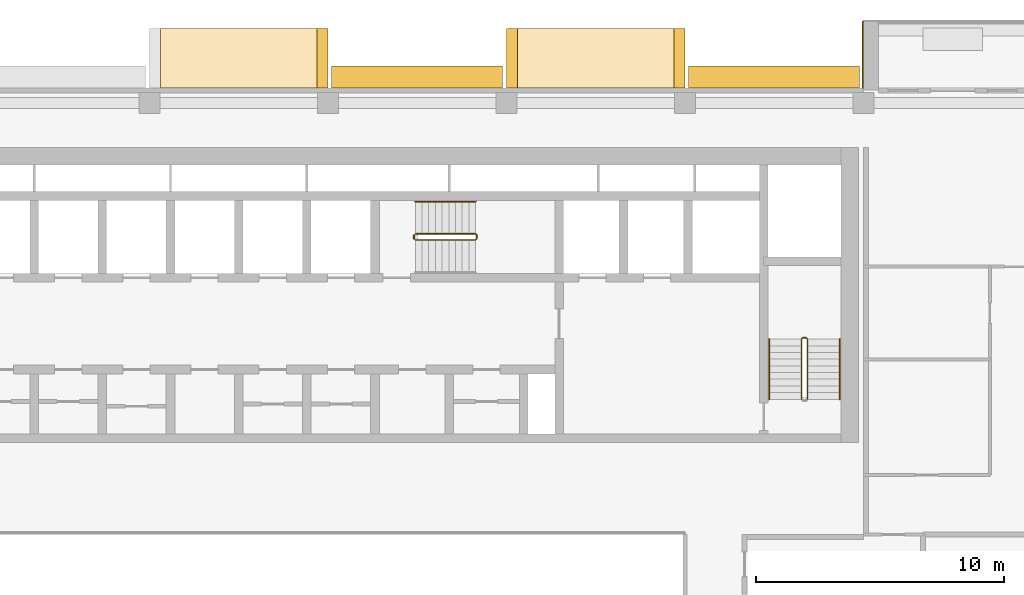
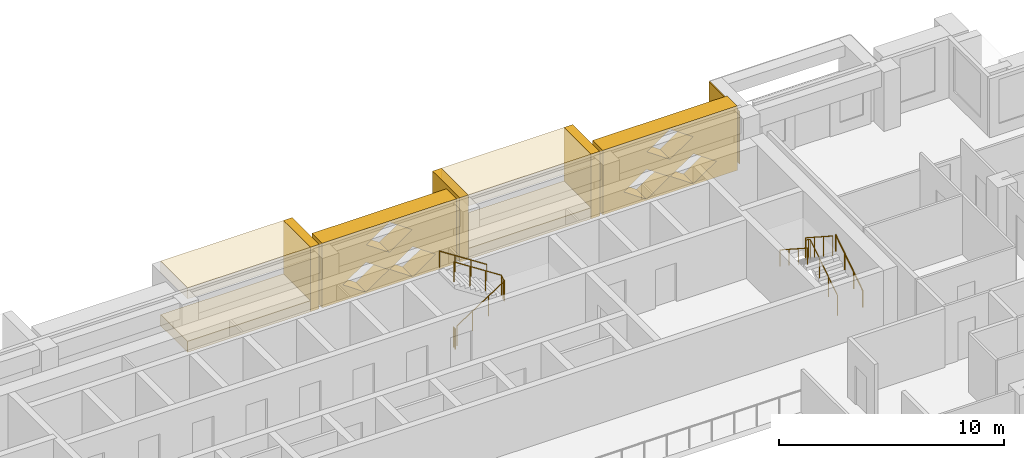
# One storey, part 18 of 19: 10 coverings, 6 railings.
"""IFC4 building model written with IfcOpenShell, lengths in metres."""

from ifc_helpers import new_model, si_unit, direction, frame, origin, origin_2d, place, context, subcontext, project, spatial, polyline, circle, outline, extrude, material, layer, layer_set, type_object, element, save


model = new_model("IFC4")

# Units and contexts
model_context = context("Model", 3, precision=1e-05, world=origin(), true_north=direction((0.0, 1.0)))
body_context = subcontext(model_context, "Body", "Model", "MODEL_VIEW")
ifc_project = project(units=[si_unit("LENGTHUNIT", "METRE"), si_unit("AREAUNIT", "SQUARE_METRE"), si_unit("VOLUMEUNIT", "CUBIC_METRE"), si_unit("PLANEANGLEUNIT", "RADIAN"), si_unit("MASSUNIT", "GRAM", prefix="KILO")], contexts=[model_context])

# Site, building, storey
site_placement = place(None, origin())
site = spatial("IfcSite", under=ifc_project, at=site_placement, CompositionType="ELEMENT")
building_placement = place(site_placement, origin())
building = spatial("IfcBuilding", under=site, at=building_placement, Name="Saffron Iwan Residences", CompositionType="ELEMENT")
storey_placement = place(building_placement, frame((0.0, 0.0, 160.5)))
storey = spatial("IfcBuildingStorey", under=building, at=storey_placement, Name="L42", CompositionType="ELEMENT", Elevation=160.5)

# Coverings
ifc_material_1 = material(Name="Precast concrete C40/50 white painted", Category="concrete")
ifc_layer = layer(ifc_material_1, 0.050048828125)
ifc_layer_set = layer_set([ifc_layer], Name="Precast concrete C40/50 white painted")
covering_type_1 = type_object("IfcCoveringType", Name="FRAME SKIN PRECAST WHITE 50", PredefinedType="CLADDING", material=ifc_layer_set)
covering_1_placement = place(storey_placement, origin())
element("IfcCovering", 1, at=covering_1_placement, inside=storey, type_object=covering_type_1, Name="Frame skin fin L42 F5-0b", PredefinedType="CLADDING", context=body_context, shape_type="SweptSolid", body=[
    extrude(outline(polyline([(72.0, 83.10009765625), (71.949951171875, 83.10009765625), (71.949951171875, 80.39990234375), (72.0, 80.39990234375), (72.0, 83.10009765625)])), origin(), (0.0, 0.0, 1.0), 2.85009765625),
])
ifc_material_2 = material(Name="Precast concrete C40/50", Category="concrete")
covering_type_2 = type_object("IfcCoveringType", Name="OUTER SKIN LATTICE SCREEN", PredefinedType="CLADDING", material=ifc_material_2)
for number, where, z_axis, x_axis, name in (
    (2, (71.85009765625, 80.39990234375, -0.300048828125), (0.0, 1.0, 0.0), (-1.0, 0.0, 0.0), "OUTER SKIN lattice screen L42 F5.1"),
    (3, (57.449951171875, 80.39990234375, -0.300048828125), (0.0, 1.0, 0.0), (-1.0, 0.0, 0.0), "OUTER SKIN lattice screen L42 F5.2"),
):
    element("IfcCovering", number, at=place(storey_placement, frame(where, z_axis=z_axis, x_axis=x_axis)), inside=storey, type_object=covering_type_2, Name=name, PredefinedType="CLADDING", context=body_context, shape_type="SweptSolid", body=[
        extrude(outline(polyline([(0.0, 0.0), (6.89990234375, 0.0), (6.89990234375, 3.5), (0.0, 3.5), (0.0, 0.0)]), holes=[polyline([(1.070068359375, 0.875), (2.25, 0.06005859375), (3.429931640625, 0.875), (2.25, 1.68994140625), (1.070068359375, 0.875)]), polyline([(3.469970703125, 0.875), (4.64990234375, 0.06005859375), (5.830078125, 0.875), (4.64990234375, 1.68994140625), (3.469970703125, 0.875)]), polyline([(2.27001953125, 2.625), (3.449951171875, 1.81005859375), (4.6298828125, 2.625), (3.449951171875, 3.43994140625), (2.27001953125, 2.625)])]), origin(), (0.0, 0.0, 1.0), 0.900146484375),
    ])

# Railings
ifc_material_3 = material(Name="Steel S355", Category="steel")
railing_type_1 = type_object("IfcRailingType", Name="Stair guard 1100", PredefinedType="GUARDRAIL", material=ifc_material_3)
railing_1_placement = place(storey_placement, frame((53.925048828125, 74.27490234375, 0.175048828125)))
element("IfcRailing", 4, at=railing_1_placement, inside=storey, type_object=railing_type_1, Name="L42 ST-C stair guard 1", PredefinedType="GUARDRAIL", context=body_context, shape_type="SweptSolid", body=[
    extrude(circle(Radius=0.02392578125, at=origin_2d()), frame((0.0, 0.0, 1.076171875), z_axis=(0.839153699163, 0.0, 0.543894354798), x_axis=(0.0, 1.0, 0.0)), (0.0, 0.0, 1.0), 2.895751953125),
    extrude(circle(Radius=0.02392578125, at=origin_2d()), frame((2.429931640625, 0.0, 2.65087890625), z_axis=(0.707106781187, 0.707106781187, 0.0), x_axis=(-0.707106781187, 0.707106781187, 0.0)), (0.0, 0.0, 1.0), 0.07080078125),
    extrude(circle(Radius=0.02392578125, at=origin_2d()), frame((2.47998046875, 0.050048828125, 2.65087890625), z_axis=(0.0, 1.0, 0.0), x_axis=(-1.0, 0.0, 0.0)), (0.0, 0.0, 1.0), 0.150146484375),
    extrude(circle(Radius=0.02392578125, at=origin_2d()), frame((2.47998046875, 0.2001953125, 2.65087890625), z_axis=(-0.265155923931, 0.263862480399, 0.927399011991), x_axis=(-0.705375805398, -0.708833529934, 0.0)), (0.0, 0.0, 1.0), 0.188720703125),
    extrude(circle(Radius=0.02392578125, at=origin_2d()), frame((2.429931640625, 0.25, 2.826171875), z_axis=(-0.839153699163, 0.0, 0.543894354798), x_axis=(0.0, -1.0, 0.0)), (0.0, 0.0, 1.0), 2.895751953125),
    extrude(circle(Radius=0.02099609375, at=origin_2d()), origin(), (0.0, 0.0, 1.0), 1.052001953125),
    extrude(circle(Radius=0.02099609375, at=origin_2d()), frame((0.81005859375, 0.0, 0.52490234375)), (0.0, 0.0, 1.0), 1.052001953125),
    extrude(circle(Radius=0.02099609375, at=origin_2d()), frame((1.619873046875, 0.0, 1.050048828125)), (0.0, 0.0, 1.0), 1.052001953125),
    extrude(circle(Radius=0.02099609375, at=origin_2d()), frame((2.429931640625, 0.0, 1.574951171875)), (0.0, 0.0, 1.0), 1.052001953125),
    extrude(circle(Radius=0.02099609375, at=origin_2d()), frame((2.47998046875, 0.050048828125, 1.574951171875)), (0.0, 0.0, 1.0), 1.052001953125),
    extrude(circle(Radius=0.02099609375, at=origin_2d()), frame((2.47998046875, 0.2001953125, 1.574951171875)), (0.0, 0.0, 1.0), 1.052001953125),
    extrude(circle(Radius=0.02099609375, at=origin_2d()), frame((2.429931640625, 0.25, 1.75)), (0.0, 0.0, 1.0), 1.052001953125),
    extrude(circle(Radius=0.02099609375, at=origin_2d()), frame((1.619873046875, 0.25, 2.27490234375)), (0.0, 0.0, 1.0), 1.052001953125),
    extrude(circle(Radius=0.02099609375, at=origin_2d()), frame((0.81005859375, 0.25, 2.800048828125)), (0.0, 0.0, 1.0), 1.052001953125),
    extrude(circle(Radius=0.02099609375, at=origin_2d()), frame((0.0, 0.25, 3.324951171875)), (0.0, 0.0, 1.0), 1.052001953125),
])
railing_2_placement = place(storey_placement, frame((53.875, 74.324951171875, 0.0)))
element("IfcRailing", 5, at=railing_2_placement, inside=storey, type_object=railing_type_1, Name="L42 ST-C stair guard 2", PredefinedType="GUARDRAIL", context=body_context, shape_type="SweptSolid", body=[
    extrude(circle(Radius=0.02392578125, at=origin_2d()), frame((0.0, 0.0, 1.076171875), z_axis=(0.0, 1.0, 0.0), x_axis=(-1.0, 0.0, 0.0)), (0.0, 0.0, 1.0), 0.150146484375),
    extrude(circle(Radius=0.02099609375, at=origin_2d()), origin(), (0.0, 0.0, 1.0), 1.052001953125),
    extrude(circle(Radius=0.02099609375, at=origin_2d()), frame((0.0, 0.150146484375, 0.0)), (0.0, 0.0, 1.0), 1.052001953125),
])
railing_3_placement = place(storey_placement, frame((69.75, 67.85009765625, 0.175048828125)))
element("IfcRailing", 6, at=railing_3_placement, inside=storey, type_object=railing_type_1, Name="L42 ST-E stair guard 1", PredefinedType="GUARDRAIL", context=body_context, shape_type="SweptSolid", body=[
    extrude(circle(Radius=0.02392578125, at=origin_2d()), frame((0.0, 0.0, 1.076171875), z_axis=(0.0, 0.839153699163, 0.543894354798), x_axis=(-1.0, 0.0, 0.0)), (0.0, 0.0, 1.0), 2.895751953125),
    extrude(circle(Radius=0.02392578125, at=origin_2d()), frame((0.0, 2.429931640625, 2.65087890625), z_axis=(-0.707106781187, 0.707106781187, 0.0), x_axis=(-0.707106781187, -0.707106781187, 0.0)), (0.0, 0.0, 1.0), 0.07080078125),
    extrude(circle(Radius=0.02392578125, at=origin_2d()), frame((-0.050048828125, 2.47998046875, 2.65087890625), z_axis=(-1.0, 0.0, 0.0), x_axis=(0.0, -1.0, 0.0)), (0.0, 0.0, 1.0), 0.14990234375),
    extrude(circle(Radius=0.02392578125, at=origin_2d()), frame((-0.199951171875, 2.47998046875, 2.65087890625), z_axis=(-0.265065253269, -0.265065253269, 0.927081885822), x_axis=(0.707106781187, -0.707106781187, 0.0)), (0.0, 0.0, 1.0), 0.188720703125),
    extrude(circle(Radius=0.02392578125, at=origin_2d()), frame((-0.25, 2.429931640625, 2.826171875), z_axis=(0.0, -0.839153699163, 0.543894354798), x_axis=(1.0, 0.0, 0.0)), (0.0, 0.0, 1.0), 2.895751953125),
    extrude(circle(Radius=0.02099609375, at=origin_2d()), origin(), (0.0, 0.0, 1.0), 1.052001953125),
    extrude(circle(Radius=0.02099609375, at=origin_2d()), frame((0.0, 0.81005859375, 0.52490234375)), (0.0, 0.0, 1.0), 1.052001953125),
    extrude(circle(Radius=0.02099609375, at=origin_2d()), frame((0.0, 1.619873046875, 1.050048828125)), (0.0, 0.0, 1.0), 1.052001953125),
    extrude(circle(Radius=0.02099609375, at=origin_2d()), frame((0.0, 2.429931640625, 1.574951171875)), (0.0, 0.0, 1.0), 1.052001953125),
    extrude(circle(Radius=0.02099609375, at=origin_2d()), frame((-0.050048828125, 2.47998046875, 1.574951171875)), (0.0, 0.0, 1.0), 1.052001953125),
    extrude(circle(Radius=0.02099609375, at=origin_2d()), frame((-0.199951171875, 2.47998046875, 1.574951171875)), (0.0, 0.0, 1.0), 1.052001953125),
    extrude(circle(Radius=0.02099609375, at=origin_2d()), frame((-0.25, 2.429931640625, 1.75)), (0.0, 0.0, 1.0), 1.052001953125),
    extrude(circle(Radius=0.02099609375, at=origin_2d()), frame((-0.25, 1.619873046875, 2.27490234375)), (0.0, 0.0, 1.0), 1.052001953125),
    extrude(circle(Radius=0.02099609375, at=origin_2d()), frame((-0.25, 0.81005859375, 2.800048828125)), (0.0, 0.0, 1.0), 1.052001953125),
    extrude(circle(Radius=0.02099609375, at=origin_2d()), frame((-0.25, 0.0, 3.324951171875)), (0.0, 0.0, 1.0), 1.052001953125),
])
ifc_material_4 = material(Name="Stainless steel 316", Category="steel")
railing_type_2 = type_object("IfcRailingType", Name="Stair handrail 900", PredefinedType="HANDRAIL", material=ifc_material_4)
railing_4_placement = place(storey_placement, frame((56.35498046875, 75.824951171875, 1.925048828125)))
element("IfcRailing", 7, at=railing_4_placement, inside=storey, type_object=railing_type_2, Name="L42 ST-C stair handrail 2", PredefinedType="HANDRAIL", context=body_context, shape_type="SweptSolid", body=[
    extrude(circle(Radius=0.02392578125, at=origin_2d()), frame((0.0, 0.0, 0.8759765625), z_axis=(-0.839153699163, 0.0, 0.543894354798), x_axis=(0.0, -1.0, 0.0)), (0.0, 0.0, 1.0), 2.895751953125),
    extrude(circle(Radius=0.02099609375, at=origin_2d()), origin(), (0.0, 0.0, 1.0), 0.851806640625),
    extrude(circle(Radius=0.02099609375, at=origin_2d()), frame((-0.81005859375, 0.0, 0.52490234375)), (0.0, 0.0, 1.0), 0.851806640625),
    extrude(circle(Radius=0.02099609375, at=origin_2d()), frame((-1.619873046875, 0.0, 1.050048828125)), (0.0, 0.0, 1.0), 0.851806640625),
    extrude(circle(Radius=0.02099609375, at=origin_2d()), frame((-2.429931640625, 0.0, 1.574951171875)), (0.0, 0.0, 1.0), 0.851806640625),
])
railing_5_placement = place(storey_placement, frame((71.050048828125, 67.85009765625, 0.175048828125)))
element("IfcRailing", 8, at=railing_5_placement, inside=storey, type_object=railing_type_2, Name="L42 ST-E stair handrail 1", PredefinedType="HANDRAIL", context=body_context, shape_type="SweptSolid", body=[
    extrude(circle(Radius=0.02392578125, at=origin_2d()), frame((0.0, 0.0, 0.8759765625), z_axis=(0.0, 0.839153699163, 0.543894354798), x_axis=(-1.0, 0.0, 0.0)), (0.0, 0.0, 1.0), 2.895751953125),
    extrude(circle(Radius=0.02099609375, at=origin_2d()), origin(), (0.0, 0.0, 1.0), 0.851806640625),
    extrude(circle(Radius=0.02099609375, at=origin_2d()), frame((0.0, 0.81005859375, 0.52490234375)), (0.0, 0.0, 1.0), 0.851806640625),
    extrude(circle(Radius=0.02099609375, at=origin_2d()), frame((0.0, 1.619873046875, 1.050048828125)), (0.0, 0.0, 1.0), 0.851806640625),
    extrude(circle(Radius=0.02099609375, at=origin_2d()), frame((0.0, 2.429931640625, 1.574951171875)), (0.0, 0.0, 1.0), 0.851806640625),
])
railing_6_placement = place(storey_placement, frame((68.199951171875, 70.280029296875, 1.925048828125)))
element("IfcRailing", 9, at=railing_6_placement, inside=storey, type_object=railing_type_2, Name="L42 ST-E stair handrail 2", PredefinedType="HANDRAIL", context=body_context, shape_type="SweptSolid", body=[
    extrude(circle(Radius=0.02392578125, at=origin_2d()), frame((0.0, 0.0, 0.8759765625), z_axis=(0.0, -0.839153699163, 0.543894354798), x_axis=(1.0, 0.0, 0.0)), (0.0, 0.0, 1.0), 2.895751953125),
    extrude(circle(Radius=0.02099609375, at=origin_2d()), origin(), (0.0, 0.0, 1.0), 0.851806640625),
    extrude(circle(Radius=0.02099609375, at=origin_2d()), frame((0.0, -0.81005859375, 0.52490234375)), (0.0, 0.0, 1.0), 0.851806640625),
    extrude(circle(Radius=0.02099609375, at=origin_2d()), frame((0.0, -1.619873046875, 1.050048828125)), (0.0, 0.0, 1.0), 0.851806640625),
    extrude(circle(Radius=0.02099609375, at=origin_2d()), frame((0.0, -2.429931640625, 1.574951171875)), (0.0, 0.0, 1.0), 0.851806640625),
])

# Coverings
covering_type_3 = type_object("IfcCoveringType", Name="WHITE SUN FRAME PRECAST", PredefinedType="CLADDING", material=ifc_material_1)
for number, where, z_axis, x_axis, name in (
    (10, (64.800048828125, 80.39990234375, -0.300048828125), (0.0, 1.0, 0.0), (-1.0, 0.0, 0.0), "Sun frame L42 F5 18.0a"),
    (11, (58.050048828125, 80.39990234375, -0.300048828125), (0.0, 1.0, 0.0), (-1.0, 0.0, 0.0), "Sun frame L42 F5 18.0b"),
):
    element("IfcCovering", number, at=place(storey_placement, frame(where, z_axis=z_axis, x_axis=x_axis)), inside=storey, type_object=covering_type_3, Name=name, PredefinedType="CLADDING", context=body_context, shape_type="SweptSolid", body=[
        extrude(outline(polyline([(0.0, 0.0), (0.449951171875, 0.0), (0.449951171875, 3.5), (0.0, 3.5), (0.0, 0.0)])), origin(), (0.0, 0.0, 1.0), 2.400146484375),
    ])
for number, where, z_axis, x_axis, name in (
    (12, (64.35009765625, 80.39990234375, 2.60009765625), (0.0, 1.0, 0.0), (-1.0, 0.0, 0.0), "Sun frame L42 F5 18.0h"),
    (13, (64.35009765625, 80.39990234375, -0.300048828125), (0.0, 1.0, 0.0), (-1.0, 0.0, 0.0), "Sun frame L42 F5 18.0s"),
):
    element("IfcCovering", number, at=place(storey_placement, frame(where, z_axis=z_axis, x_axis=x_axis)), inside=storey, type_object=covering_type_3, Name=name, PredefinedType="CLADDING", context=body_context, shape_type="SweptSolid", body=[
        extrude(outline(polyline([(0.0, 0.0), (6.300048828125, 0.0), (6.300048828125, 0.60009765625), (0.0, 0.60009765625), (0.0, 0.0)])), origin(), (0.0, 0.0, 1.0), 2.400146484375),
    ])
covering_2_placement = place(storey_placement, frame((50.39990234375, 80.39990234375, -0.300048828125), z_axis=(0.0, 1.0, 0.0), x_axis=(-1.0, 0.0, 0.0)))
element("IfcCovering", 14, at=covering_2_placement, inside=storey, type_object=covering_type_3, Name="Sun frame L42 F5 32.4a", PredefinedType="CLADDING", context=body_context, shape_type="SweptSolid", body=[
    extrude(outline(polyline([(0.0, 0.0), (0.449951171875, 0.0), (0.449951171875, 3.5), (0.0, 3.5), (0.0, 0.0)])), origin(), (0.0, 0.0, 1.0), 2.400146484375),
])
for number, where, z_axis, x_axis, name in (
    (15, (49.949951171875, 80.39990234375, 2.60009765625), (0.0, 1.0, 0.0), (-1.0, 0.0, 0.0), "Sun frame L42 F5 32.4h"),
    (16, (49.949951171875, 80.39990234375, -0.300048828125), (0.0, 1.0, 0.0), (-1.0, 0.0, 0.0), "Sun frame L42 F5 32.4s"),
):
    element("IfcCovering", number, at=place(storey_placement, frame(where, z_axis=z_axis, x_axis=x_axis)), inside=storey, type_object=covering_type_3, Name=name, PredefinedType="CLADDING", context=body_context, shape_type="SweptSolid", body=[
        extrude(outline(polyline([(0.0, 0.0), (6.300048828125, 0.0), (6.300048828125, 0.60009765625), (0.0, 0.60009765625), (0.0, 0.0)])), origin(), (0.0, 0.0, 1.0), 2.400146484375),
    ])

save(model, "model.ifc")
